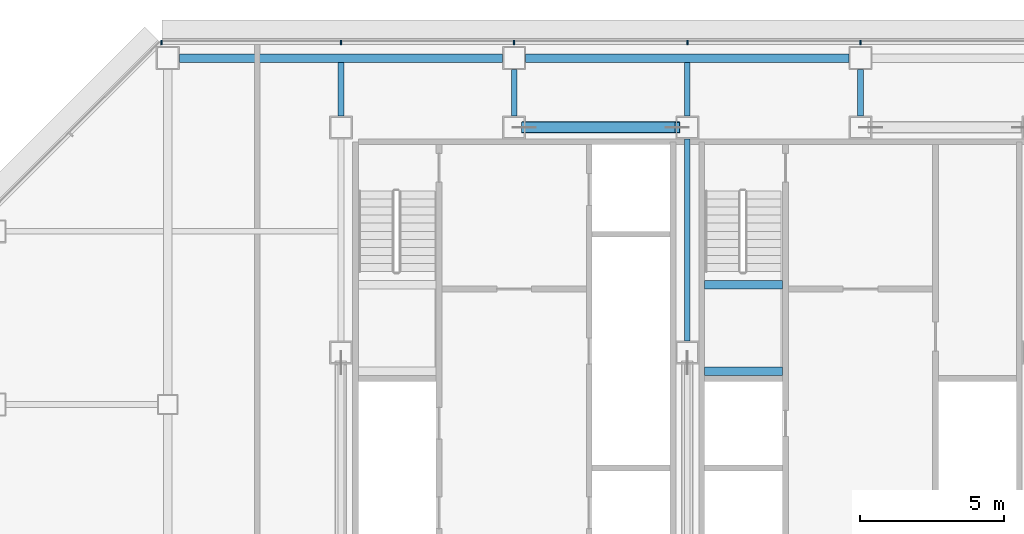
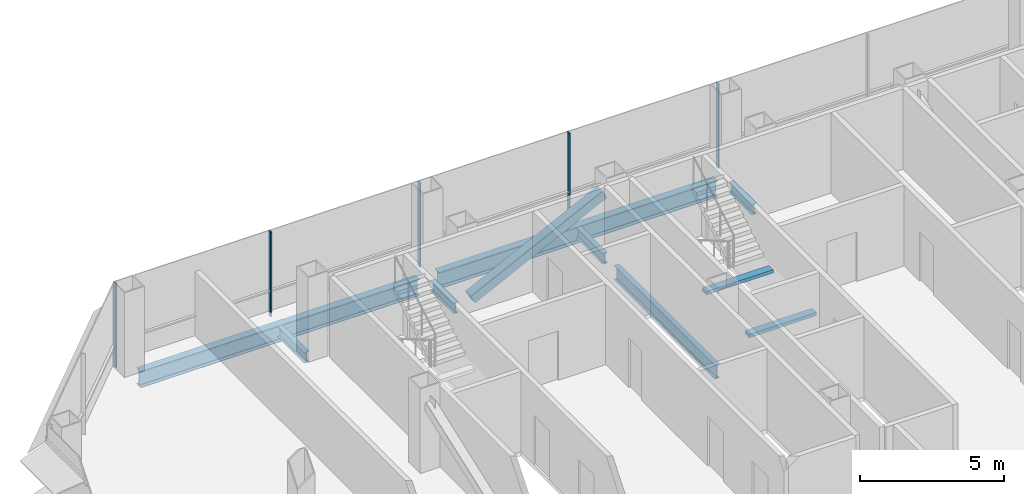
# One storey, part 11 of 26: 9 beams, 6 members, 1 element without a shape of its own.
"""IFC4 building model written with IfcOpenShell, lengths in metres."""

from ifc_helpers import new_model, si_unit, direction, frame, origin, origin_2d, place, context, subcontext, project, spatial, rectangle, hollow_rectangle, i_section, extrude, material, material_profile, profile_set, type_object, element, aggregate, save


model = new_model("IFC4")

# Units and contexts
model_context = context("Model", 3, precision=1e-05, world=origin(), true_north=direction((0.0, 1.0)))
body_context = subcontext(model_context, "Body", "Model", "MODEL_VIEW")
ifc_project = project(units=[si_unit("LENGTHUNIT", "METRE"), si_unit("AREAUNIT", "SQUARE_METRE"), si_unit("VOLUMEUNIT", "CUBIC_METRE"), si_unit("PLANEANGLEUNIT", "RADIAN"), si_unit("MASSUNIT", "GRAM", prefix="KILO")], contexts=[model_context])

# Site, building, storey
site_placement = place(None, origin())
site = spatial("IfcSite", under=ifc_project, at=site_placement, CompositionType="ELEMENT")
building_placement = place(site_placement, origin())
building = spatial("IfcBuilding", under=site, at=building_placement, Name="Sorahane Residences", CompositionType="ELEMENT")
storey_placement = place(building_placement, frame((0.0, 0.0, 103.39990234375)))
storey = spatial("IfcBuildingStorey", under=building, at=storey_placement, Name="L22", CompositionType="ELEMENT", Elevation=103.39990234375)

# Member
ifc_material_1 = material(Name="Steel Q355B", Category="steel")
ifc_material_profile_1 = material_profile(ifc_material_1, hollow_rectangle(XDim=0.39990234375, YDim=0.39990234375, WallThickness=0.02001953125, InnerFilletRadius=0.010009765625, OuterFilletRadius=0.030029296875, at=origin_2d()), Name="RHS 400x400x20")
ifc_profile_set_1 = profile_set([ifc_material_profile_1], Name="Steel Q355B")
member_type_1 = type_object("IfcMemberType", Name="Core brace RHS 400x400x20 Q355B", PredefinedType="BRACE", material=ifc_profile_set_1)
member_1_placement = place(storey_placement, frame((12.346923828125, 45.60009765625, 0.173828125), z_axis=(0.896480070819, 0.0, 0.443084058192), x_axis=(0.0, 1.0, 0.0)))
element("IfcMember", 1, at=member_1_placement, inside=storey, type_object=member_type_1, Name="Core brace L22 y45.6-2", PredefinedType="BRACE", context=body_context, shape_type="SweptSolid", body=[
    extrude(hollow_rectangle(XDim=0.39990234375, YDim=0.39990234375, WallThickness=0.02001953125, InnerFilletRadius=0.010009765625, OuterFilletRadius=0.030029296875, at=origin_2d()), origin(), (0.0, 0.0, 1.0), 5.9189453125),
])

# Curtain wall, members
ifc_material_2 = material(Name="Dark low-e glass and black anodised aluminium", Category="aluminium")
curtain_wall_type = type_object("IfcCurtainWallType", Name="Curtain wall CW-1 Typical unitised wall", PredefinedType="NOTDEFINED", material=ifc_material_2)
curtain_wall_placement = place(storey_placement, origin())
curtain_wall = element("IfcCurtainWall", 2, at=curtain_wall_placement, inside=storey, type_object=curtain_wall_type, Name="CW-1 curtain wall L22 N1", PredefinedType="NOTDEFINED")
ifc_material_3 = material(Name="Black anodised aluminium", Category="aluminium")
ifc_material_profile_2 = material_profile(ifc_material_3, rectangle(XDim=0.159912109375, YDim=0.050048828125, at=origin_2d()), Name="Curtain wall mullion CW-1 black anodised aluminium 50x160")
ifc_profile_set_2 = profile_set([ifc_material_profile_2], Name="Black anodised aluminium")
member_type_2 = type_object("IfcMemberType", Name="Curtain wall mullion CW-1 black anodised aluminium 50x160", PredefinedType="MULLION", material=ifc_profile_set_2)
member_2_placement = place(storey_placement, frame((24.0, 48.5400390625, -0.179931640625), z_axis=(0.0, 0.0, 1.0), x_axis=(0.0, 1.0, 0.0)))
member_2 = element("IfcMember", 3, at=member_2_placement, type_object=member_type_2, Name="CW-1 mullion L22 N1.6", PredefinedType="MULLION", context=body_context, shape_type="SweptSolid", body=[
    extrude(rectangle(XDim=0.159912109375, YDim=0.050048828125, at=origin_2d()), origin(), (0.0, 0.0, 1.0), 3.60009765625),
])
member_3_placement = place(storey_placement, frame((18.0, 48.5400390625, -0.179931640625), z_axis=(0.0, 0.0, 1.0), x_axis=(0.0, 1.0, 0.0)))
member_3 = element("IfcMember", 4, at=member_3_placement, type_object=member_type_2, Name="CW-1 mullion L22 N1.7", PredefinedType="MULLION", context=body_context, shape_type="SweptSolid", body=[
    extrude(rectangle(XDim=0.159912109375, YDim=0.050048828125, at=origin_2d()), origin(), (0.0, 0.0, 1.0), 3.60009765625),
])
member_4_placement = place(storey_placement, frame((12.0, 48.5400390625, -0.179931640625), z_axis=(0.0, 0.0, 1.0), x_axis=(0.0, 1.0, 0.0)))
member_4 = element("IfcMember", 5, at=member_4_placement, type_object=member_type_2, Name="CW-1 mullion L22 N1.8", PredefinedType="MULLION", context=body_context, shape_type="SweptSolid", body=[
    extrude(rectangle(XDim=0.159912109375, YDim=0.050048828125, at=origin_2d()), origin(), (0.0, 0.0, 1.0), 3.60009765625),
])
member_5_placement = place(storey_placement, frame((6.0, 48.5400390625, -0.179931640625), z_axis=(0.0, 0.0, 1.0), x_axis=(0.0, 1.0, 0.0)))
member_5 = element("IfcMember", 6, at=member_5_placement, type_object=member_type_2, Name="CW-1 mullion L22 N1.9", PredefinedType="MULLION", context=body_context, shape_type="SweptSolid", body=[
    extrude(rectangle(XDim=0.159912109375, YDim=0.050048828125, at=origin_2d()), origin(), (0.0, 0.0, 1.0), 3.60009765625),
])
member_6_placement = place(storey_placement, frame((-0.2236328125, 48.5400390625, -0.179931640625), z_axis=(0.0, 0.0, 1.0), x_axis=(0.0, 1.0, 0.0)))
member_6 = element("IfcMember", 7, at=member_6_placement, type_object=member_type_2, Name="CW-1 mullion L22 N1.10", PredefinedType="MULLION", context=body_context, shape_type="SweptSolid", body=[
    extrude(rectangle(XDim=0.159912109375, YDim=0.050048828125, at=origin_2d()), origin(), (0.0, 0.0, 1.0), 3.60009765625),
])
aggregate(curtain_wall, [member_2, member_3, member_4, member_5, member_6])

# Beams
ifc_material_4 = material(Name="Concrete C40", Category="concrete")
ifc_material_profile_3 = material_profile(ifc_material_4, rectangle(XDim=0.300048828125, YDim=0.139892578125, at=origin_2d()), Name="300x140")
ifc_profile_set_3 = profile_set([ifc_material_profile_3], Name="Concrete C40")
beam_type_1 = type_object("IfcBeamType", Name="RC landing beam 300 x 140 Concrete C40", PredefinedType="BEAM", material=ifc_profile_set_3)
for number, where, z_axis, x_axis, name in (
    (8, (18.60009765625, 37.14990234375, 1.530029296875), (1.0, 0.0, 0.0), (0.0, 1.0, 0.0), "Landing beam"),
    (9, (18.60009765625, 40.14990234375, 1.530029296875), (1.0, 0.0, 0.0), (0.0, 1.0, 0.0), "Landing beam"),
):
    element("IfcBeam", number, at=place(storey_placement, frame(where, z_axis=z_axis, x_axis=x_axis)), inside=storey, type_object=beam_type_1, Name=name, PredefinedType="BEAM", context=body_context, shape_type="SweptSolid", body=[
        extrude(rectangle(XDim=0.300048828125, YDim=0.139892578125, at=origin_2d()), origin(), (0.0, 0.0, 1.0), 2.699951171875),
    ])
ifc_material_5 = material(Name="Steel Q355B", Category="steel")
ifc_material_profile_4 = material_profile(ifc_material_5, i_section(OverallWidth=0.199951171875, OverallDepth=0.449951171875, WebThickness=0.009033203125, FlangeThickness=0.013916015625, FilletRadius=0.02001953125, at=origin_2d()), Name="HN 450x200x9x14")
ifc_profile_set_4 = profile_set([ifc_material_profile_4], Name="Steel Q355B")
beam_type_2 = type_object("IfcBeamType", Name="Steel floor beam HN 450x200x9x14 Q355B", PredefinedType="BEAM", material=ifc_profile_set_4)
beam_1_placement = place(storey_placement, frame((6.0, 46.0, -0.40478515625), z_axis=(0.0, 1.0, 0.0), x_axis=(-1.0, 0.0, 0.0)))
element("IfcBeam", 10, at=beam_1_placement, inside=storey, type_object=beam_type_2, Name="Beam L22 032", PredefinedType="BEAM", context=body_context, shape_type="SweptSolid", body=[
    extrude(i_section(OverallWidth=0.199951171875, OverallDepth=0.449951171875, WebThickness=0.009033203125, FlangeThickness=0.013916015625, FilletRadius=0.02001953125, at=origin_2d()), origin(), (0.0, 0.0, 1.0), 1.85009765625),
])
beam_2_placement = place(storey_placement, frame((12.0, 46.0, -0.40478515625), z_axis=(0.0, 1.0, 0.0), x_axis=(-1.0, 0.0, 0.0)))
element("IfcBeam", 11, at=beam_2_placement, inside=storey, type_object=beam_type_2, Name="Beam L22 034", PredefinedType="BEAM", context=body_context, shape_type="SweptSolid", body=[
    extrude(i_section(OverallWidth=0.199951171875, OverallDepth=0.449951171875, WebThickness=0.009033203125, FlangeThickness=0.013916015625, FilletRadius=0.02001953125, at=origin_2d()), origin(), (0.0, 0.0, 1.0), 1.60009765625),
])
beam_3_placement = place(storey_placement, frame((18.0, 46.0, -0.40478515625), z_axis=(0.0, 1.0, 0.0), x_axis=(-1.0, 0.0, 0.0)))
element("IfcBeam", 12, at=beam_3_placement, inside=storey, type_object=beam_type_2, Name="Beam L22 040", PredefinedType="BEAM", context=body_context, shape_type="SweptSolid", body=[
    extrude(i_section(OverallWidth=0.199951171875, OverallDepth=0.449951171875, WebThickness=0.009033203125, FlangeThickness=0.013916015625, FilletRadius=0.02001953125, at=origin_2d()), origin(), (0.0, 0.0, 1.0), 1.85009765625),
])
beam_4_placement = place(storey_placement, frame((24.0, 46.0, -0.40478515625), z_axis=(0.0, 1.0, 0.0), x_axis=(-1.0, 0.0, 0.0)))
element("IfcBeam", 13, at=beam_4_placement, inside=storey, type_object=beam_type_2, Name="Beam L22 042", PredefinedType="BEAM", context=body_context, shape_type="SweptSolid", body=[
    extrude(i_section(OverallWidth=0.199951171875, OverallDepth=0.449951171875, WebThickness=0.009033203125, FlangeThickness=0.013916015625, FilletRadius=0.02001953125, at=origin_2d()), origin(), (0.0, 0.0, 1.0), 1.60009765625),
])
ifc_material_6 = material(Name="Steel Q355B", Category="steel")
ifc_material_profile_5 = material_profile(ifc_material_6, i_section(OverallWidth=0.199951171875, OverallDepth=0.60009765625, WebThickness=0.010986328125, FlangeThickness=0.01708984375, FilletRadius=0.02392578125, at=origin_2d()), Name="HN 600x200x11x17")
ifc_profile_set_5 = profile_set([ifc_material_profile_5], Name="Steel Q355B")
beam_type_3 = type_object("IfcBeamType", Name="Steel floor beam HN 600x200x11x17 Q355B", PredefinedType="BEAM", material=ifc_profile_set_5)
beam_5_placement = place(storey_placement, frame((18.0, 38.199951171875, -0.47998046875), z_axis=(0.0, 1.0, 0.0), x_axis=(-1.0, 0.0, 0.0)))
element("IfcBeam", 14, at=beam_5_placement, inside=storey, type_object=beam_type_3, Name="Beam L22 039", PredefinedType="BEAM", context=body_context, shape_type="SweptSolid", body=[
    extrude(i_section(OverallWidth=0.199951171875, OverallDepth=0.60009765625, WebThickness=0.010986328125, FlangeThickness=0.01708984375, FilletRadius=0.02392578125, at=origin_2d()), origin(), (0.0, 0.0, 1.0), 7.0),
])
ifc_material_7 = material(Name="Steel Q355B", Category="steel")
ifc_material_profile_6 = material_profile(ifc_material_7, i_section(OverallWidth=0.300048828125, OverallDepth=0.699951171875, WebThickness=0.012939453125, FlangeThickness=0.02392578125, FilletRadius=0.028076171875, at=origin_2d()), Name="HN 700x300x13x24")
ifc_profile_set_6 = profile_set([ifc_material_profile_6], Name="Steel Q355B")
beam_type_4 = type_object("IfcBeamType", Name="Steel floor beam HN 700x300x13x24 Q355B", PredefinedType="BEAM", material=ifc_profile_set_6)
for number, where, z_axis, x_axis, name in (
    (15, (0.39990234375, 48.0, -0.52978515625), (1.0, 0.0, 0.0), (0.0, 1.0, 0.0), "Beam L22 014"),
    (16, (12.39990234375, 48.0, -0.52978515625), (1.0, 0.0, 0.0), (0.0, 1.0, 0.0), "Beam L22 015"),
):
    element("IfcBeam", number, at=place(storey_placement, frame(where, z_axis=z_axis, x_axis=x_axis)), inside=storey, type_object=beam_type_4, Name=name, PredefinedType="BEAM", context=body_context, shape_type="SweptSolid", body=[
        extrude(i_section(OverallWidth=0.300048828125, OverallDepth=0.699951171875, WebThickness=0.012939453125, FlangeThickness=0.02392578125, FilletRadius=0.028076171875, at=origin_2d()), origin(), (0.0, 0.0, 1.0), 11.2001953125),
    ])

save(model, "model.ifc")
